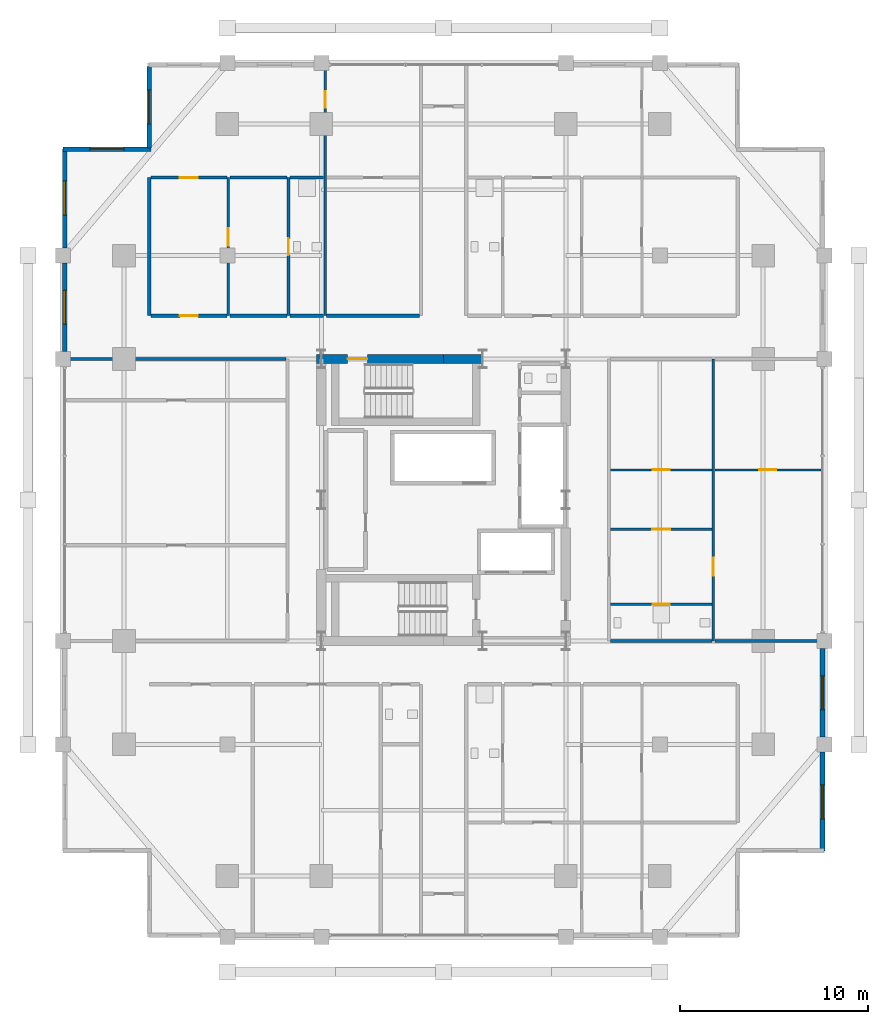
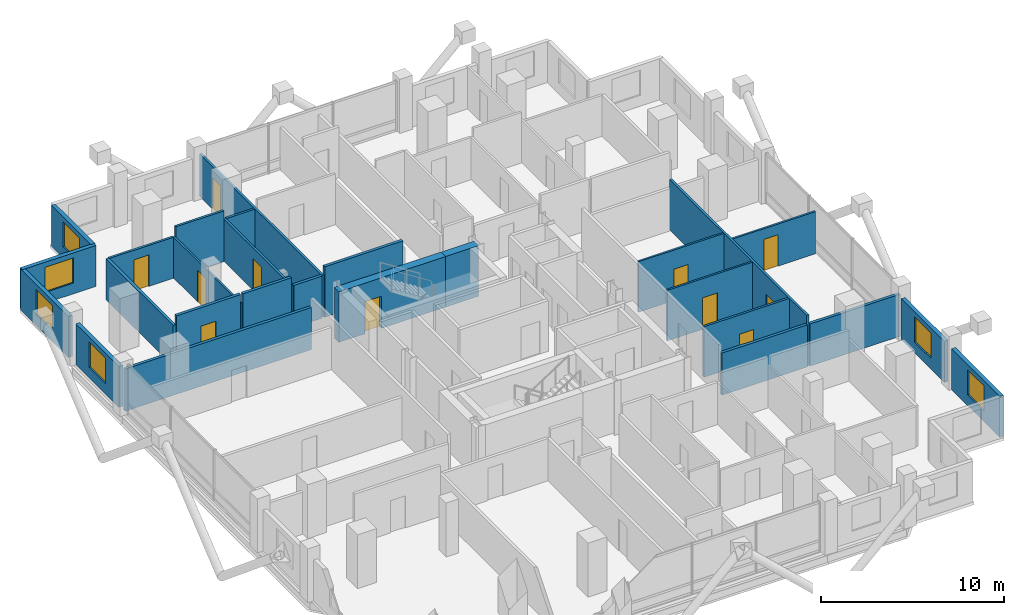
# One storey, part 19 of 23: 27 walls, 11 doors, 6 windows, 17 openings.
"""IFC4 building model written with IfcOpenShell, lengths in metres."""

from ifc_helpers import new_model, si_unit, direction, frame, frame_2d, origin, place, context, subcontext, project, spatial, rectangle, extrude, material, layer, layer_set, type_object, element, fill, save


model = new_model("IFC4")

# Units and contexts
model_context = context("Model", 3, precision=1e-05, world=origin(), true_north=direction((0.0, 1.0)))
body_context = subcontext(model_context, "Body", "Model", "MODEL_VIEW")
ifc_project = project(units=[si_unit("LENGTHUNIT", "METRE"), si_unit("AREAUNIT", "SQUARE_METRE"), si_unit("VOLUMEUNIT", "CUBIC_METRE"), si_unit("PLANEANGLEUNIT", "RADIAN"), si_unit("MASSUNIT", "GRAM", prefix="KILO")], contexts=[model_context])

# Site, building, storey
site_placement = place(None, origin())
site = spatial("IfcSite", under=ifc_project, at=site_placement, CompositionType="ELEMENT")
building_placement = place(site_placement, origin())
building = spatial("IfcBuilding", under=site, at=building_placement, Name="Barlavira Tower and Art Museum", CompositionType="ELEMENT")
storey_placement = place(building_placement, frame((0.0, 0.0, 151.199951171875)))
storey = spatial("IfcBuildingStorey", under=building, at=storey_placement, Name="L38", CompositionType="ELEMENT", Elevation=151.199951171875)

# Wall, opening, door
ifc_material_1 = material(Name="Gypsum acoustic stud partition", Category="gypsum")
ifc_layer_1 = layer(ifc_material_1, 0.1201171875, Name="Gypsum acoustic stud partition")
ifc_layer_set_1 = layer_set([ifc_layer_1], Name="Gypsum acoustic stud partition")
wall_type_1 = type_object("IfcWallType", Name="Apartment Internal Acoustic Partition 120", PredefinedType="PARTITIONING", material=ifc_layer_set_1)
wall_1_placement = place(storey_placement, frame((-11.449951171875, 9.800048828125, 0.0), z_axis=(0.0, 0.0, 1.0), x_axis=(0.0, 1.0, 0.0)))
wall_1 = element("IfcWall", 1, at=wall_1_placement, inside=storey, type_object=wall_type_1, Name="L38 Partition Wall 2", PredefinedType="PARTITIONING", context=body_context, shape_type="SweptSolid", body=[
    extrude(rectangle(XDim=7.349853515625, YDim=0.1201171875, at=frame_2d((3.6748046875, 0.0))), origin(), (0.0, 0.0, 1.0), 2.736083984375),
])
opening_1_placement = place(wall_1_placement, frame((3.71337890625, 0.0, 0.0)))
opening_1 = element("IfcOpeningElement", 2, at=opening_1_placement, cuts=wall_1, Name="Opening D-02", PredefinedType="OPENING", context=body_context, shape_type="SweptSolid", body=[
    extrude(rectangle(XDim=0.949951171875, YDim=2.10009765625, at=frame_2d((0.47509765625, 1.050048828125))), frame((0.0, 0.070068359375, 0.0), z_axis=(0.0, -1.0, 0.0), x_axis=(1.0, 0.0, 0.0)), (0.0, 0.0, 1.0), 0.14013671875),
])
ifc_material_2 = material(Name="Engineered coastal hardwood", Category="wood")
door_type_1 = type_object("IfcDoorType", Name="Living and Salon Glazed-Leaf Door 950x2100", OperationType="NOTDEFINED", PredefinedType="DOOR", material=ifc_material_2)
door_1_placement = place(opening_1_placement, origin())
door_1 = element("IfcDoor", 3, at=door_1_placement, inside=storey, type_object=door_type_1, Name="Apartment NW1 Kitchen Door", OperationType="SINGLE_SWING_RIGHT", OverallHeight=2.10009765625, OverallWidth=0.949951171875, PredefinedType="DOOR", context=body_context, shape_type="SweptSolid", body=[
    extrude(rectangle(XDim=0.949951171875, YDim=2.10009765625, at=frame_2d((0.47509765625, 1.050048828125))), frame((0.0, 0.02490234375, 0.0), z_axis=(0.0, -1.0, 0.0), x_axis=(1.0, 0.0, 0.0)), (0.0, 0.0, 1.0), 0.050048828125),
])
fill(opening_1, door_1)

wall_2_placement = place(storey_placement, frame((8.8798828125, -1.550048828125, 0.0), z_axis=(0.0, 0.0, 1.0), x_axis=(1.0, 0.0, 0.0)))
wall_2 = element("IfcWall", 4, at=wall_2_placement, inside=storey, type_object=wall_type_1, Name="L38 Partition Wall 44", PredefinedType="PARTITIONING", context=body_context, shape_type="SweptSolid", body=[
    extrude(rectangle(XDim=5.39013671875, YDim=0.1201171875, at=frame_2d((2.695068359375, 0.0))), origin(), (0.0, 0.0, 1.0), 3.380126953125),
])
opening_2_placement = place(wall_2_placement, frame((2.215087890625, 0.0, 0.0)))
opening_2 = element("IfcOpeningElement", 5, at=opening_2_placement, cuts=wall_2, Name="Opening D-02", PredefinedType="OPENING", context=body_context, shape_type="SweptSolid", body=[
    extrude(rectangle(XDim=0.949951171875, YDim=2.10009765625, at=frame_2d((0.47509765625, 1.050048828125))), frame((0.0, 0.070068359375, 0.0), z_axis=(0.0, -1.0, 0.0), x_axis=(1.0, 0.0, 0.0)), (0.0, 0.0, 1.0), 0.14013671875),
])
door_2_placement = place(opening_2_placement, origin())
door_2 = element("IfcDoor", 6, at=door_2_placement, inside=storey, type_object=door_type_1, Name="Apartment E1 Kitchen Door", OperationType="SINGLE_SWING_RIGHT", OverallHeight=2.10009765625, OverallWidth=0.949951171875, PredefinedType="DOOR", context=body_context, shape_type="SweptSolid", body=[
    extrude(rectangle(XDim=0.949951171875, YDim=2.10009765625, at=frame_2d((0.47509765625, 1.050048828125))), frame((0.0, 0.02490234375, 0.0), z_axis=(0.0, -1.0, 0.0), x_axis=(1.0, 0.0, 0.0)), (0.0, 0.0, 1.0), 0.050048828125),
])
fill(opening_2, door_2)

wall_3_placement = place(storey_placement, frame((8.8798828125, 1.60009765625, 0.0), z_axis=(0.0, 0.0, 1.0), x_axis=(1.0, 0.0, 0.0)))
wall_3 = element("IfcWall", 7, at=wall_3_placement, inside=storey, type_object=wall_type_1, Name="L38 Partition Wall 45", PredefinedType="PARTITIONING", context=body_context, shape_type="SweptSolid", body=[
    extrude(rectangle(XDim=5.39013671875, YDim=0.1201171875, at=frame_2d((2.695068359375, 0.0))), origin(), (0.0, 0.0, 1.0), 3.380126953125),
])
opening_3_placement = place(wall_3_placement, frame((2.239990234375, 0.0, 0.0)))
opening_3 = element("IfcOpeningElement", 8, at=opening_3_placement, cuts=wall_3, Name="Opening D-01", PredefinedType="OPENING", context=body_context, shape_type="SweptSolid", body=[
    extrude(rectangle(XDim=0.89990234375, YDim=2.10009765625, at=frame_2d((0.449951171875, 1.050048828125))), frame((0.0, 0.070068359375, 0.0), z_axis=(0.0, -1.0, 0.0), x_axis=(1.0, 0.0, 0.0)), (0.0, 0.0, 1.0), 0.14013671875),
])
door_type_2 = type_object("IfcDoorType", Name="Internal Bedroom Timber Flush Door 900x2100", OperationType="NOTDEFINED", PredefinedType="DOOR", material=ifc_material_2)
door_3_placement = place(opening_3_placement, origin())
door_3 = element("IfcDoor", 9, at=door_3_placement, inside=storey, type_object=door_type_2, Name="Apartment E1 Walk-In Dressing Room Door", OperationType="SINGLE_SWING_LEFT", OverallHeight=2.10009765625, OverallWidth=0.89990234375, PredefinedType="DOOR", context=body_context, shape_type="SweptSolid", body=[
    extrude(rectangle(XDim=0.89990234375, YDim=2.10009765625, at=frame_2d((0.449951171875, 1.050048828125))), frame((0.0, 0.02490234375, 0.0), z_axis=(0.0, -1.0, 0.0), x_axis=(1.0, 0.0, 0.0)), (0.0, 0.0, 1.0), 0.050048828125),
])
fill(opening_3, door_3)

wall_4_placement = place(storey_placement, frame((14.429931640625, 1.60009765625, 0.0), z_axis=(0.0, 0.0, 1.0), x_axis=(1.0, 0.0, 0.0)))
wall_4 = element("IfcWall", 10, at=wall_4_placement, inside=storey, type_object=wall_type_1, Name="L38 Partition Wall 46", PredefinedType="PARTITIONING", context=body_context, shape_type="SweptSolid", body=[
    extrude(rectangle(XDim=5.64013671875, YDim=0.1201171875, at=frame_2d((2.820068359375, 0.0))), origin(), (0.0, 0.0, 1.0), 2.816162109375),
])
opening_4_placement = place(wall_4_placement, frame((2.3701171875, 0.0, 0.0)))
opening_4 = element("IfcOpeningElement", 11, at=opening_4_placement, cuts=wall_4, Name="Opening D-01", PredefinedType="OPENING", context=body_context, shape_type="SweptSolid", body=[
    extrude(rectangle(XDim=0.89990234375, YDim=2.10009765625, at=frame_2d((0.449951171875, 1.050048828125))), frame((0.0, 0.070068359375, 0.0), z_axis=(0.0, -1.0, 0.0), x_axis=(1.0, 0.0, 0.0)), (0.0, 0.0, 1.0), 0.14013671875),
])
door_4_placement = place(opening_4_placement, origin())
door_4 = element("IfcDoor", 12, at=door_4_placement, inside=storey, type_object=door_type_2, Name="Apartment E1 Bedroom 1 Door", OperationType="SINGLE_SWING_LEFT", OverallHeight=2.10009765625, OverallWidth=0.89990234375, PredefinedType="DOOR", context=body_context, shape_type="SweptSolid", body=[
    extrude(rectangle(XDim=0.89990234375, YDim=2.10009765625, at=frame_2d((0.449951171875, 1.050048828125))), frame((0.0, 0.02490234375, 0.0), z_axis=(0.0, -1.0, 0.0), x_axis=(1.0, 0.0, 0.0)), (0.0, 0.0, 1.0), 0.050048828125),
])
fill(opening_4, door_4)

ifc_material_3 = material(Name="Concrete C60", Category="concrete")
ifc_layer_2 = layer(ifc_material_3, 0.5, Name="Concrete C60")
ifc_layer_set_2 = layer_set([ifc_layer_2], Name="Concrete C60")
wall_type_2 = type_object("IfcWallType", Name="Core Structural Shear Wall 500 Concrete C60", PredefinedType="SHEAR", material=ifc_layer_set_2)
wall_5_placement = place(storey_placement, frame((-6.75, 7.5, 0.0), z_axis=(0.0, 0.0, 1.0), x_axis=(1.0, 0.0, 0.0)))
wall_5 = element("IfcWall", 13, at=wall_5_placement, inside=storey, type_object=wall_type_2, Name="L38 Core Shear Wall CS-NW", PredefinedType="SHEAR", context=body_context, shape_type="SweptSolid", body=[
    extrude(rectangle(XDim=6.75, YDim=0.5, at=frame_2d((3.375, 0.0))), origin(), (0.0, 0.0, 1.0), 3.380126953125),
])
opening_5_placement = place(wall_5_placement, frame((1.64990234375, 0.0, 0.0)))
opening_5 = element("IfcOpeningElement", 14, at=opening_5_placement, cuts=wall_5, Name="Opening FD-90", PredefinedType="OPENING", context=body_context, shape_type="SweptSolid", body=[
    extrude(rectangle(XDim=1.050048828125, YDim=2.14990234375, at=frame_2d((0.52490234375, 1.074951171875))), frame((0.0, 0.260009765625, 0.0), z_axis=(0.0, -1.0, 0.0), x_axis=(1.0, 0.0, 0.0)), (0.0, 0.0, 1.0), 0.52001953125),
])
ifc_material_4 = material(Name="Brushed stainless steel", Category="steel")
door_type_3 = type_object("IfcDoorType", Name="Stair and Refuge Fire Door 1050x2150 FD90S", OperationType="NOTDEFINED", PredefinedType="DOOR", material=ifc_material_4)
door_5_placement = place(opening_5_placement, origin())
door_5 = element("IfcDoor", 15, at=door_5_placement, inside=storey, type_object=door_type_3, Name="L38 Stair ST-T2 Fire Door", OperationType="SINGLE_SWING_LEFT", OverallHeight=2.14990234375, OverallWidth=1.050048828125, PredefinedType="DOOR", context=body_context, shape_type="SweptSolid", body=[
    extrude(rectangle(XDim=1.050048828125, YDim=2.14990234375, at=frame_2d((0.52490234375, 1.074951171875))), frame((0.0, 0.02490234375, 0.0), z_axis=(0.0, -1.0, 0.0), x_axis=(1.0, 0.0, 0.0)), (0.0, 0.0, 1.0), 0.050048828125),
])
fill(opening_5, door_5)

# Walls
wall_6_placement = place(storey_placement, frame((0.0, 7.5, 0.0), z_axis=(0.0, 0.0, 1.0), x_axis=(1.0, 0.0, 0.0)))
element("IfcWall", 16, at=wall_6_placement, inside=storey, type_object=wall_type_2, Name="L38 Core Shear Wall CS-EN", PredefinedType="SHEAR", context=body_context, shape_type="SweptSolid", body=[
    extrude(rectangle(XDim=2.080078125, YDim=0.5, at=frame_2d((1.0400390625, 0.0))), origin(), (0.0, 0.0, 1.0), 3.380126953125),
])
ifc_layer_3 = layer(ifc_material_1, 0.179931640625, Name="Gypsum acoustic stud partition")
ifc_layer_set_3 = layer_set([ifc_layer_3], Name="Gypsum acoustic stud partition")
wall_type_3 = type_object("IfcWallType", Name="Inter-Tenancy Party Partition Wall 180", PredefinedType="PARTITIONING", material=ifc_layer_set_3)
wall_7_placement = place(storey_placement, frame((-15.64990234375, 9.800048828125, 0.0), z_axis=(0.0, 0.0, 1.0), x_axis=(0.0, 1.0, 0.0)))
element("IfcWall", 17, at=wall_7_placement, inside=storey, type_object=wall_type_3, Name="L38 Partition Wall 1", PredefinedType="PARTITIONING", context=body_context, shape_type="SweptSolid", body=[
    extrude(rectangle(XDim=7.349853515625, YDim=0.179931640625, at=frame_2d((3.6748046875, 0.0))), origin(), (0.0, 0.0, 1.0), 2.736083984375),
])
wall_8_placement = place(storey_placement, frame((8.8798828125, -7.5, 0.0), z_axis=(0.0, 0.0, 1.0), x_axis=(1.0, 0.0, 0.0)))
element("IfcWall", 18, at=wall_8_placement, inside=storey, type_object=wall_type_3, Name="L38 Partition Wall 39", PredefinedType="PARTITIONING", context=body_context, shape_type="SweptSolid", body=[
    extrude(rectangle(XDim=5.39013671875, YDim=0.179931640625, at=frame_2d((2.695068359375, 0.0))), origin(), (0.0, 0.0, 1.0), 2.816162109375),
])
wall_9_placement = place(storey_placement, frame((14.429931640625, -7.5, 0.0), z_axis=(0.0, 0.0, 1.0), x_axis=(1.0, 0.0, 0.0)))
element("IfcWall", 19, at=wall_9_placement, inside=storey, type_object=wall_type_3, Name="L38 Partition Wall 40", PredefinedType="PARTITIONING", context=body_context, shape_type="SweptSolid", body=[
    extrude(rectangle(XDim=5.719970703125, YDim=0.179931640625, at=frame_2d((2.85986328125, 0.0))), origin(), (0.0, 0.0, 1.0), 2.816162109375),
])
wall_10_placement = place(storey_placement, frame((-20.14990234375, 7.5, 0.0), z_axis=(0.0, 0.0, 1.0), x_axis=(1.0, 0.0, 0.0)))
element("IfcWall", 20, at=wall_10_placement, inside=storey, type_object=wall_type_3, Name="L38 Partition Wall 51", PredefinedType="PARTITIONING", context=body_context, shape_type="SweptSolid", body=[
    extrude(rectangle(XDim=11.77001953125, YDim=0.179931640625, at=frame_2d((5.885009765625, 0.0))), origin(), (0.0, 0.0, 1.0), 2.816162109375),
])

# Wall, opening, door
wall_11_placement = place(storey_placement, frame((-15.570068359375, 9.800048828125, 0.0), z_axis=(0.0, 0.0, 1.0), x_axis=(1.0, 0.0, 0.0)))
wall_11 = element("IfcWall", 21, at=wall_11_placement, inside=storey, type_object=wall_type_3, Name="L38 Partition Wall 54", PredefinedType="PARTITIONING", context=body_context, shape_type="SweptSolid", body=[
    extrude(rectangle(XDim=4.0400390625, YDim=0.179931640625, at=frame_2d((2.02001953125, 0.0))), origin(), (0.0, 0.0, 1.0), 3.380126953125),
])
opening_6_placement = place(wall_11_placement, frame((1.544921875, 0.0, 0.0)))
opening_6 = element("IfcOpeningElement", 22, at=opening_6_placement, cuts=wall_11, Name="Opening FD-60", PredefinedType="OPENING", context=body_context, shape_type="SweptSolid", body=[
    extrude(rectangle(XDim=0.949951171875, YDim=2.14990234375, at=frame_2d((0.47509765625, 1.074951171875))), frame((0.0, 0.10009765625, 0.0), z_axis=(0.0, -1.0, 0.0), x_axis=(1.0, 0.0, 0.0)), (0.0, 0.0, 1.0), 0.199951171875),
])
door_type_4 = type_object("IfcDoorType", Name="Apartment Entrance and Riser Fire Door 950x2150 FD60S", OperationType="NOTDEFINED", PredefinedType="DOOR", material=ifc_material_4)
door_6_placement = place(opening_6_placement, origin())
door_6 = element("IfcDoor", 23, at=door_6_placement, inside=storey, type_object=door_type_4, Name="Apartment Entrance Hall NW1 Door", OperationType="SINGLE_SWING_LEFT", OverallHeight=2.14990234375, OverallWidth=0.949951171875, PredefinedType="DOOR", context=body_context, shape_type="SweptSolid", body=[
    extrude(rectangle(XDim=0.949951171875, YDim=2.14990234375, at=frame_2d((0.47509765625, 1.074951171875))), frame((0.0, 0.02490234375, 0.0), z_axis=(0.0, -1.0, 0.0), x_axis=(1.0, 0.0, 0.0)), (0.0, 0.0, 1.0), 0.050048828125),
])
fill(opening_6, door_6)

# Walls
wall_12_placement = place(storey_placement, frame((-11.3701171875, 9.800048828125, 0.0), z_axis=(0.0, 0.0, 1.0), x_axis=(1.0, 0.0, 0.0)))
element("IfcWall", 24, at=wall_12_placement, inside=storey, type_object=wall_type_3, Name="L38 Partition Wall 55", PredefinedType="PARTITIONING", context=body_context, shape_type="SweptSolid", body=[
    extrude(rectangle(XDim=3.0400390625, YDim=0.179931640625, at=frame_2d((1.52001953125, 0.0))), origin(), (0.0, 0.0, 1.0), 3.380126953125),
])
wall_13_placement = place(storey_placement, frame((-8.169921875, 9.800048828125, 0.0), z_axis=(0.0, 0.0, 1.0), x_axis=(1.0, 0.0, 0.0)))
element("IfcWall", 25, at=wall_13_placement, inside=storey, type_object=wall_type_3, Name="L38 Partition Wall 56", PredefinedType="PARTITIONING", context=body_context, shape_type="SweptSolid", body=[
    extrude(rectangle(XDim=1.7900390625, YDim=0.179931640625, at=frame_2d((0.89501953125, 0.0))), origin(), (0.0, 0.0, 1.0), 2.816162109375),
])
wall_14_placement = place(storey_placement, frame((-6.219970703125, 9.800048828125, 0.0), z_axis=(0.0, 0.0, 1.0), x_axis=(1.0, 0.0, 0.0)))
element("IfcWall", 26, at=wall_14_placement, inside=storey, type_object=wall_type_3, Name="L38 Partition Wall 57", PredefinedType="PARTITIONING", context=body_context, shape_type="SweptSolid", body=[
    extrude(rectangle(XDim=4.93994140625, YDim=0.179931640625, at=frame_2d((2.469970703125, 0.0))), origin(), (0.0, 0.0, 1.0), 3.380126953125),
])

# Wall, opening, door
ifc_layer_4 = layer(ifc_material_1, 0.139892578125, Name="Gypsum acoustic stud partition")
ifc_layer_set_4 = layer_set([ifc_layer_4], Name="Gypsum acoustic stud partition")
wall_type_4 = type_object("IfcWallType", Name="Moisture-Resistant Bathroom Partition 140", PredefinedType="PARTITIONING", material=ifc_layer_set_4)
wall_15_placement = place(storey_placement, frame((-8.25, 9.800048828125, 0.0), z_axis=(0.0, 0.0, 1.0), x_axis=(0.0, 1.0, 0.0)))
wall_15 = element("IfcWall", 27, at=wall_15_placement, inside=storey, type_object=wall_type_4, Name="L38 Partition Wall 5", PredefinedType="PARTITIONING", context=body_context, shape_type="SweptSolid", body=[
    extrude(rectangle(XDim=7.349853515625, YDim=0.139892578125, at=frame_2d((3.6748046875, 0.0))), origin(), (0.0, 0.0, 1.0), 2.816162109375),
])
opening_7_placement = place(wall_15_placement, frame((3.219970703125, 0.0, 0.0)))
opening_7 = element("IfcOpeningElement", 28, at=opening_7_placement, cuts=wall_15, Name="Opening D-WC", PredefinedType="OPENING", context=body_context, shape_type="SweptSolid", body=[
    extrude(rectangle(XDim=0.89990234375, YDim=2.10009765625, at=frame_2d((0.449951171875, 1.050048828125))), frame((0.0, 0.080078125, 0.0), z_axis=(0.0, -1.0, 0.0), x_axis=(1.0, 0.0, 0.0)), (0.0, 0.0, 1.0), 0.159912109375),
])
door_type_5 = type_object("IfcDoorType", Name="Accessible Bathroom Flush Door 900x2100", OperationType="NOTDEFINED", PredefinedType="DOOR", material=ifc_material_2)
door_7_placement = place(opening_7_placement, origin())
door_7 = element("IfcDoor", 29, at=door_7_placement, inside=storey, type_object=door_type_5, Name="Apartment NW1 Hall Bathroom Door", OperationType="SINGLE_SWING_LEFT", OverallHeight=2.10009765625, OverallWidth=0.89990234375, PredefinedType="DOOR", context=body_context, shape_type="SweptSolid", body=[
    extrude(rectangle(XDim=0.89990234375, YDim=2.10009765625, at=frame_2d((0.449951171875, 1.050048828125))), frame((0.0, 0.02490234375, 0.0), z_axis=(0.0, -1.0, 0.0), x_axis=(1.0, 0.0, 0.0)), (0.0, 0.0, 1.0), 0.050048828125),
])
fill(opening_7, door_7)

wall_16_placement = place(storey_placement, frame((-6.300048828125, 9.800048828125, 0.0), z_axis=(0.0, 0.0, 1.0), x_axis=(0.0, 1.0, 0.0)))
wall_16 = element("IfcWall", 30, at=wall_16_placement, inside=storey, type_object=wall_type_4, Name="L38 Partition Wall 6", PredefinedType="PARTITIONING", context=body_context, shape_type="SweptSolid", body=[
    extrude(rectangle(XDim=13.349853515625, YDim=0.139892578125, at=frame_2d((6.6748046875, 0.0))), origin(), (0.0, 0.0, 1.0), 2.816162109375),
])
opening_8_placement = place(wall_16_placement, frame((11.051025390625, 0.0, 0.0)))
opening_8 = element("IfcOpeningElement", 31, at=opening_8_placement, cuts=wall_16, Name="Opening D-01", PredefinedType="OPENING", context=body_context, shape_type="SweptSolid", body=[
    extrude(rectangle(XDim=0.89990234375, YDim=2.10009765625, at=frame_2d((0.449951171875, 1.050048828125))), frame((0.0, 0.080078125, 0.0), z_axis=(0.0, -1.0, 0.0), x_axis=(1.0, 0.0, 0.0)), (0.0, 0.0, 1.0), 0.159912109375),
])
door_8_placement = place(opening_8_placement, origin())
door_8 = element("IfcDoor", 32, at=door_8_placement, inside=storey, type_object=door_type_2, Name="Apartment NW1 Bedroom 1 Door", OperationType="SINGLE_SWING_RIGHT", OverallHeight=2.10009765625, OverallWidth=0.89990234375, PredefinedType="DOOR", context=body_context, shape_type="SweptSolid", body=[
    extrude(rectangle(XDim=0.89990234375, YDim=2.10009765625, at=frame_2d((0.449951171875, 1.050048828125))), frame((0.0, 0.02490234375, 0.0), z_axis=(0.0, -1.0, 0.0), x_axis=(1.0, 0.0, 0.0)), (0.0, 0.0, 1.0), 0.050048828125),
])
fill(opening_8, door_8)

wall_17_placement = place(storey_placement, frame((14.35009765625, -7.5, 0.0), z_axis=(0.0, 0.0, 1.0), x_axis=(0.0, 1.0, 0.0)))
wall_17 = element("IfcWall", 33, at=wall_17_placement, inside=storey, type_object=wall_type_4, Name="L38 Partition Wall 22", PredefinedType="PARTITIONING", context=body_context, shape_type="SweptSolid", body=[
    extrude(rectangle(XDim=15.0, YDim=0.139892578125, at=frame_2d((7.5, 0.0))), origin(), (0.0, 0.0, 1.0), 3.380126953125),
])
opening_9_placement = place(wall_17_placement, frame((3.47509765625, 0.0, 0.0)))
opening_9 = element("IfcOpeningElement", 34, at=opening_9_placement, cuts=wall_17, Name="Opening D-02", PredefinedType="OPENING", context=body_context, shape_type="SweptSolid", body=[
    extrude(rectangle(XDim=0.949951171875, YDim=2.10009765625, at=frame_2d((0.47509765625, 1.050048828125))), frame((0.0, 0.080078125, 0.0), z_axis=(0.0, -1.0, 0.0), x_axis=(1.0, 0.0, 0.0)), (0.0, 0.0, 1.0), 0.159912109375),
])
door_9_placement = place(opening_9_placement, origin())
door_9 = element("IfcDoor", 35, at=door_9_placement, inside=storey, type_object=door_type_1, Name="Apartment E1 Living Lounge Door", OperationType="SINGLE_SWING_RIGHT", OverallHeight=2.10009765625, OverallWidth=0.949951171875, PredefinedType="DOOR", context=body_context, shape_type="SweptSolid", body=[
    extrude(rectangle(XDim=0.949951171875, YDim=2.10009765625, at=frame_2d((0.47509765625, 1.050048828125))), frame((0.0, 0.02490234375, 0.0), z_axis=(0.0, -1.0, 0.0), x_axis=(1.0, 0.0, 0.0)), (0.0, 0.0, 1.0), 0.050048828125),
])
fill(opening_9, door_9)

wall_18_placement = place(storey_placement, frame((8.8798828125, -5.550048828125, 0.0), z_axis=(0.0, 0.0, 1.0), x_axis=(1.0, 0.0, 0.0)))
wall_18 = element("IfcWall", 36, at=wall_18_placement, inside=storey, type_object=wall_type_4, Name="L38 Partition Wall 41", PredefinedType="PARTITIONING", context=body_context, shape_type="SweptSolid", body=[
    extrude(rectangle(XDim=5.39013671875, YDim=0.139892578125, at=frame_2d((2.695068359375, 0.0))), origin(), (0.0, 0.0, 1.0), 3.380126953125),
])
opening_10_placement = place(wall_18_placement, frame((2.239990234375, 0.0, 0.0)))
opening_10 = element("IfcOpeningElement", 37, at=opening_10_placement, cuts=wall_18, Name="Opening D-WC", PredefinedType="OPENING", context=body_context, shape_type="SweptSolid", body=[
    extrude(rectangle(XDim=0.89990234375, YDim=2.10009765625, at=frame_2d((0.449951171875, 1.050048828125))), frame((0.0, 0.080078125, 0.0), z_axis=(0.0, -1.0, 0.0), x_axis=(1.0, 0.0, 0.0)), (0.0, 0.0, 1.0), 0.159912109375),
])
door_10_placement = place(opening_10_placement, origin())
door_10 = element("IfcDoor", 38, at=door_10_placement, inside=storey, type_object=door_type_5, Name="Apartment E1 Hall Bathroom Door", OperationType="SINGLE_SWING_RIGHT", OverallHeight=2.10009765625, OverallWidth=0.89990234375, PredefinedType="DOOR", context=body_context, shape_type="SweptSolid", body=[
    extrude(rectangle(XDim=0.89990234375, YDim=2.10009765625, at=frame_2d((0.449951171875, 1.050048828125))), frame((0.0, 0.02490234375, 0.0), z_axis=(0.0, -1.0, 0.0), x_axis=(1.0, 0.0, 0.0)), (0.0, 0.0, 1.0), 0.050048828125),
])
fill(opening_10, door_10)

wall_19_placement = place(storey_placement, frame((-15.570068359375, 17.14990234375, 0.0), z_axis=(0.0, 0.0, 1.0), x_axis=(1.0, 0.0, 0.0)))
wall_19 = element("IfcWall", 39, at=wall_19_placement, inside=storey, type_object=wall_type_4, Name="L38 Partition Wall 62", PredefinedType="PARTITIONING", context=body_context, shape_type="SweptSolid", body=[
    extrude(rectangle(XDim=4.0400390625, YDim=0.139892578125, at=frame_2d((2.02001953125, 0.0))), origin(), (0.0, 0.0, 1.0), 2.736083984375),
])
opening_11_placement = place(wall_19_placement, frame((1.544921875, 0.0, 0.0)))
opening_11 = element("IfcOpeningElement", 40, at=opening_11_placement, cuts=wall_19, Name="Opening D-02", PredefinedType="OPENING", context=body_context, shape_type="SweptSolid", body=[
    extrude(rectangle(XDim=0.949951171875, YDim=2.10009765625, at=frame_2d((0.47509765625, 1.050048828125))), frame((0.0, 0.080078125, 0.0), z_axis=(0.0, -1.0, 0.0), x_axis=(1.0, 0.0, 0.0)), (0.0, 0.0, 1.0), 0.159912109375),
])
door_11_placement = place(opening_11_placement, origin())
door_11 = element("IfcDoor", 41, at=door_11_placement, inside=storey, type_object=door_type_1, Name="Apartment NW1 Living Lounge Door", OperationType="SINGLE_SWING_LEFT", OverallHeight=2.10009765625, OverallWidth=0.949951171875, PredefinedType="DOOR", context=body_context, shape_type="SweptSolid", body=[
    extrude(rectangle(XDim=0.949951171875, YDim=2.10009765625, at=frame_2d((0.47509765625, 1.050048828125))), frame((0.0, 0.02490234375, 0.0), z_axis=(0.0, -1.0, 0.0), x_axis=(1.0, 0.0, 0.0)), (0.0, 0.0, 1.0), 0.050048828125),
])
fill(opening_11, door_11)

# Walls
wall_20_placement = place(storey_placement, frame((-11.3701171875, 17.14990234375, 0.0), z_axis=(0.0, 0.0, 1.0), x_axis=(1.0, 0.0, 0.0)))
element("IfcWall", 42, at=wall_20_placement, inside=storey, type_object=wall_type_4, Name="L38 Partition Wall 63", PredefinedType="PARTITIONING", context=body_context, shape_type="SweptSolid", body=[
    extrude(rectangle(XDim=3.0400390625, YDim=0.139892578125, at=frame_2d((1.52001953125, 0.0))), origin(), (0.0, 0.0, 1.0), 3.380126953125),
])
wall_21_placement = place(storey_placement, frame((-8.169921875, 17.14990234375, 0.0), z_axis=(0.0, 0.0, 1.0), x_axis=(1.0, 0.0, 0.0)))
element("IfcWall", 43, at=wall_21_placement, inside=storey, type_object=wall_type_4, Name="L38 Partition Wall 64", PredefinedType="PARTITIONING", context=body_context, shape_type="SweptSolid", body=[
    extrude(rectangle(XDim=1.7900390625, YDim=0.139892578125, at=frame_2d((0.89501953125, 0.0))), origin(), (0.0, 0.0, 1.0), 2.816162109375),
])

# Wall, opening, window
ifc_material_5 = material(Name="Precast concrete C40", Category="concrete")
ifc_layer_5 = layer(ifc_material_5, 0.25, Name="Precast concrete C40")
ifc_layer_set_5 = layer_set([ifc_layer_5], Name="Precast concrete C40")
wall_type_5 = type_object("IfcWallType", Name="Notched Corner Spandrel Wall 250 Precast Concrete C40", PredefinedType="SOLIDWALL", material=ifc_layer_set_5)
wall_22_placement = place(storey_placement, frame((-20.14990234375, 18.675048828125, 0.0), z_axis=(0.0, 0.0, 1.0), x_axis=(0.0, -1.0, 0.0)))
wall_22 = element("IfcWall", 44, at=wall_22_placement, inside=storey, type_object=wall_type_5, Name="L38 Coastal Facade Pier Wall CW2-L38-W-1", PredefinedType="SOLIDWALL", context=body_context, shape_type="SweptSolid", body=[
    extrude(rectangle(XDim=5.280029296875, YDim=0.25, at=frame_2d((2.64013671875, 0.0))), origin(), (0.0, 0.0, 1.0), 2.736083984375),
])
opening_12_placement = place(wall_22_placement, frame((1.718017578125, 0.0, 0.719970703125)))
opening_12 = element("IfcOpeningElement", 45, at=opening_12_placement, cuts=wall_22, Name="Opening WN-01", PredefinedType="OPENING", context=body_context, shape_type="SweptSolid", body=[
    extrude(rectangle(XDim=1.800048828125, YDim=1.679931640625, at=frame_2d((0.89990234375, 0.83984375))), frame((0.0, 0.135009765625, 0.0), z_axis=(0.0, -1.0, 0.0), x_axis=(1.0, 0.0, 0.0)), (0.0, 0.0, 1.0), 0.27001953125),
])
ifc_material_6 = material(Name="Low-iron coastal laminated glass", Category="glass")
window_type = type_object("IfcWindowType", Name="Recessed Notch Corner Punch Window 1800x1680", PartitioningType="SINGLE_PANEL", PredefinedType="WINDOW", material=ifc_material_6)
window_1_placement = place(opening_12_placement, origin())
window_1 = element("IfcWindow", 46, at=window_1_placement, inside=storey, type_object=window_type, Name="L38 Punched Facade Window EWP-CW2-L38-W-1-1", OverallHeight=1.679931640625, OverallWidth=1.800048828125, PartitioningType="SINGLE_PANEL", PredefinedType="WINDOW", context=body_context, shape_type="SweptSolid", body=[
    extrude(rectangle(XDim=1.800048828125, YDim=1.679931640625, at=frame_2d((0.89990234375, 0.83984375))), frame((0.0, 0.030029296875, 0.0), z_axis=(0.0, -1.0, 0.0), x_axis=(1.0, 0.0, 0.0)), (0.0, 0.0, 1.0), 0.06005859375),
])
fill(opening_12, window_1)

wall_23_placement = place(storey_placement, frame((-20.14990234375, 12.60498046875, 0.0), z_axis=(0.0, 0.0, 1.0), x_axis=(0.0, -1.0, 0.0)))
wall_23 = element("IfcWall", 47, at=wall_23_placement, inside=storey, type_object=wall_type_5, Name="L38 Coastal Facade Pier Wall CW2-L38-W-2", PredefinedType="SOLIDWALL", context=body_context, shape_type="SweptSolid", body=[
    extrude(rectangle(XDim=4.7099609375, YDim=0.25, at=frame_2d((2.35498046875, 0.0))), origin(), (0.0, 0.0, 1.0), 2.736083984375),
])
opening_13_placement = place(wall_23_placement, frame((1.455078125, 0.0, 0.719970703125)))
opening_13 = element("IfcOpeningElement", 48, at=opening_13_placement, cuts=wall_23, Name="Opening WN-01", PredefinedType="OPENING", context=body_context, shape_type="SweptSolid", body=[
    extrude(rectangle(XDim=1.800048828125, YDim=1.679931640625, at=frame_2d((0.89990234375, 0.83984375))), frame((0.0, 0.135009765625, 0.0), z_axis=(0.0, -1.0, 0.0), x_axis=(1.0, 0.0, 0.0)), (0.0, 0.0, 1.0), 0.27001953125),
])
window_2_placement = place(opening_13_placement, origin())
window_2 = element("IfcWindow", 49, at=window_2_placement, inside=storey, type_object=window_type, Name="L38 Punched Facade Window EWP-CW2-L38-W-2-1", OverallHeight=1.679931640625, OverallWidth=1.800048828125, PartitioningType="SINGLE_PANEL", PredefinedType="WINDOW", context=body_context, shape_type="SweptSolid", body=[
    extrude(rectangle(XDim=1.800048828125, YDim=1.679931640625, at=frame_2d((0.89990234375, 0.83984375))), frame((0.0, 0.030029296875, 0.0), z_axis=(0.0, -1.0, 0.0), x_axis=(1.0, 0.0, 0.0)), (0.0, 0.0, 1.0), 0.06005859375),
])
fill(opening_13, window_2)

wall_24_placement = place(storey_placement, frame((20.14990234375, -18.675048828125, 0.0), z_axis=(0.0, 0.0, 1.0), x_axis=(0.0, 1.0, 0.0)))
wall_24 = element("IfcWall", 50, at=wall_24_placement, inside=storey, type_object=wall_type_5, Name="L38 Coastal Facade Pier Wall CW2-L38-E-1", PredefinedType="SOLIDWALL", context=body_context, shape_type="SweptSolid", body=[
    extrude(rectangle(XDim=5.280029296875, YDim=0.25, at=frame_2d((2.64013671875, 0.0))), origin(), (0.0, 0.0, 1.0), 2.736083984375),
])
opening_14_placement = place(wall_24_placement, frame((1.718017578125, 0.0, 0.719970703125)))
opening_14 = element("IfcOpeningElement", 51, at=opening_14_placement, cuts=wall_24, Name="Opening WN-01", PredefinedType="OPENING", context=body_context, shape_type="SweptSolid", body=[
    extrude(rectangle(XDim=1.800048828125, YDim=1.679931640625, at=frame_2d((0.89990234375, 0.83984375))), frame((0.0, 0.135009765625, 0.0), z_axis=(0.0, -1.0, 0.0), x_axis=(1.0, 0.0, 0.0)), (0.0, 0.0, 1.0), 0.27001953125),
])
window_3_placement = place(opening_14_placement, origin())
window_3 = element("IfcWindow", 52, at=window_3_placement, inside=storey, type_object=window_type, Name="L38 Punched Facade Window EWP-CW2-L38-E-1-1", OverallHeight=1.679931640625, OverallWidth=1.800048828125, PartitioningType="SINGLE_PANEL", PredefinedType="WINDOW", context=body_context, shape_type="SweptSolid", body=[
    extrude(rectangle(XDim=1.800048828125, YDim=1.679931640625, at=frame_2d((0.89990234375, 0.83984375))), frame((0.0, 0.030029296875, 0.0), z_axis=(0.0, -1.0, 0.0), x_axis=(1.0, 0.0, 0.0)), (0.0, 0.0, 1.0), 0.06005859375),
])
fill(opening_14, window_3)

wall_25_placement = place(storey_placement, frame((20.14990234375, -12.60498046875, 0.0), z_axis=(0.0, 0.0, 1.0), x_axis=(0.0, 1.0, 0.0)))
wall_25 = element("IfcWall", 53, at=wall_25_placement, inside=storey, type_object=wall_type_5, Name="L38 Coastal Facade Pier Wall CW2-L38-E-2", PredefinedType="SOLIDWALL", context=body_context, shape_type="SweptSolid", body=[
    extrude(rectangle(XDim=4.7099609375, YDim=0.25, at=frame_2d((2.35498046875, 0.0))), origin(), (0.0, 0.0, 1.0), 2.736083984375),
])
opening_15_placement = place(wall_25_placement, frame((1.455078125, 0.0, 0.719970703125)))
opening_15 = element("IfcOpeningElement", 54, at=opening_15_placement, cuts=wall_25, Name="Opening WN-01", PredefinedType="OPENING", context=body_context, shape_type="SweptSolid", body=[
    extrude(rectangle(XDim=1.800048828125, YDim=1.679931640625, at=frame_2d((0.89990234375, 0.83984375))), frame((0.0, 0.135009765625, 0.0), z_axis=(0.0, -1.0, 0.0), x_axis=(1.0, 0.0, 0.0)), (0.0, 0.0, 1.0), 0.27001953125),
])
window_4_placement = place(opening_15_placement, origin())
window_4 = element("IfcWindow", 55, at=window_4_placement, inside=storey, type_object=window_type, Name="L38 Punched Facade Window EWP-CW2-L38-E-2-1", OverallHeight=1.679931640625, OverallWidth=1.800048828125, PartitioningType="SINGLE_PANEL", PredefinedType="WINDOW", context=body_context, shape_type="SweptSolid", body=[
    extrude(rectangle(XDim=1.800048828125, YDim=1.679931640625, at=frame_2d((0.89990234375, 0.83984375))), frame((0.0, 0.030029296875, 0.0), z_axis=(0.0, -1.0, 0.0), x_axis=(1.0, 0.0, 0.0)), (0.0, 0.0, 1.0), 0.06005859375),
])
fill(opening_15, window_4)

wall_26_placement = place(storey_placement, frame((-15.64990234375, 23.070068359375, 0.0), z_axis=(0.0, 0.0, 1.0), x_axis=(0.0, -1.0, 0.0)))
wall_26 = element("IfcWall", 56, at=wall_26_placement, inside=storey, type_object=wall_type_5, Name="L38 Notch Corner Wall NW1", PredefinedType="SOLIDWALL", context=body_context, shape_type="SweptSolid", body=[
    extrude(rectangle(XDim=4.340087890625, YDim=0.25, at=frame_2d((2.169921875, 0.0))), origin(), (0.0, 0.0, 1.0), 2.736083984375),
])
opening_16_placement = place(wall_26_placement, frame((1.27001953125, 0.0, 0.719970703125)))
opening_16 = element("IfcOpeningElement", 57, at=opening_16_placement, cuts=wall_26, Name="Opening WN-01", PredefinedType="OPENING", context=body_context, shape_type="SweptSolid", body=[
    extrude(rectangle(XDim=1.800048828125, YDim=1.679931640625, at=frame_2d((0.89990234375, 0.83984375))), frame((0.0, 0.135009765625, 0.0), z_axis=(0.0, -1.0, 0.0), x_axis=(1.0, 0.0, 0.0)), (0.0, 0.0, 1.0), 0.27001953125),
])
window_5_placement = place(opening_16_placement, origin())
window_5 = element("IfcWindow", 58, at=window_5_placement, inside=storey, type_object=window_type, Name="L38 Punched Facade Window EW-NTC-L38-NW1-1", OverallHeight=1.679931640625, OverallWidth=1.800048828125, PartitioningType="SINGLE_PANEL", PredefinedType="WINDOW", context=body_context, shape_type="SweptSolid", body=[
    extrude(rectangle(XDim=1.800048828125, YDim=1.679931640625, at=frame_2d((0.89990234375, 0.83984375))), frame((0.0, 0.030029296875, 0.0), z_axis=(0.0, -1.0, 0.0), x_axis=(1.0, 0.0, 0.0)), (0.0, 0.0, 1.0), 0.06005859375),
])
fill(opening_16, window_5)

wall_27_placement = place(storey_placement, frame((-15.570068359375, 18.64990234375, 0.0), z_axis=(0.0, 0.0, 1.0), x_axis=(-1.0, 0.0, 0.0)))
wall_27 = element("IfcWall", 59, at=wall_27_placement, inside=storey, type_object=wall_type_5, Name="L38 Notch Corner Wall NW2", PredefinedType="SOLIDWALL", context=body_context, shape_type="SweptSolid", body=[
    extrude(rectangle(XDim=4.659912109375, YDim=0.25, at=frame_2d((2.330078125, 0.0))), origin(), (0.0, 0.0, 1.0), 2.736083984375),
])
opening_17_placement = place(wall_27_placement, frame((1.429931640625, 0.0, 0.719970703125)))
opening_17 = element("IfcOpeningElement", 60, at=opening_17_placement, cuts=wall_27, Name="Opening WN-01", PredefinedType="OPENING", context=body_context, shape_type="SweptSolid", body=[
    extrude(rectangle(XDim=1.800048828125, YDim=1.679931640625, at=frame_2d((0.89990234375, 0.83984375))), frame((0.0, 0.135009765625, 0.0), z_axis=(0.0, -1.0, 0.0), x_axis=(1.0, 0.0, 0.0)), (0.0, 0.0, 1.0), 0.27001953125),
])
window_6_placement = place(opening_17_placement, origin())
window_6 = element("IfcWindow", 61, at=window_6_placement, inside=storey, type_object=window_type, Name="L38 Punched Facade Window EW-NTC-L38-NW2-1", OverallHeight=1.679931640625, OverallWidth=1.800048828125, PartitioningType="SINGLE_PANEL", PredefinedType="WINDOW", context=body_context, shape_type="SweptSolid", body=[
    extrude(rectangle(XDim=1.800048828125, YDim=1.679931640625, at=frame_2d((0.89990234375, 0.83984375))), frame((0.0, 0.030029296875, 0.0), z_axis=(0.0, -1.0, 0.0), x_axis=(1.0, 0.0, 0.0)), (0.0, 0.0, 1.0), 0.06005859375),
])
fill(opening_17, window_6)

save(model, "model.ifc")
